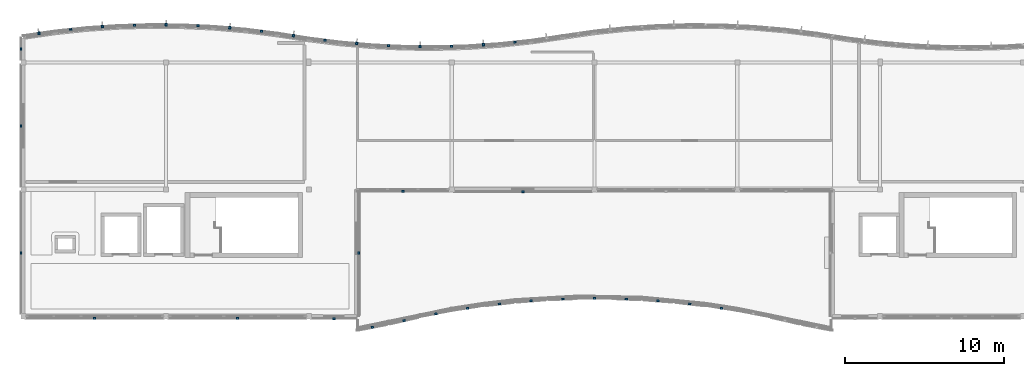
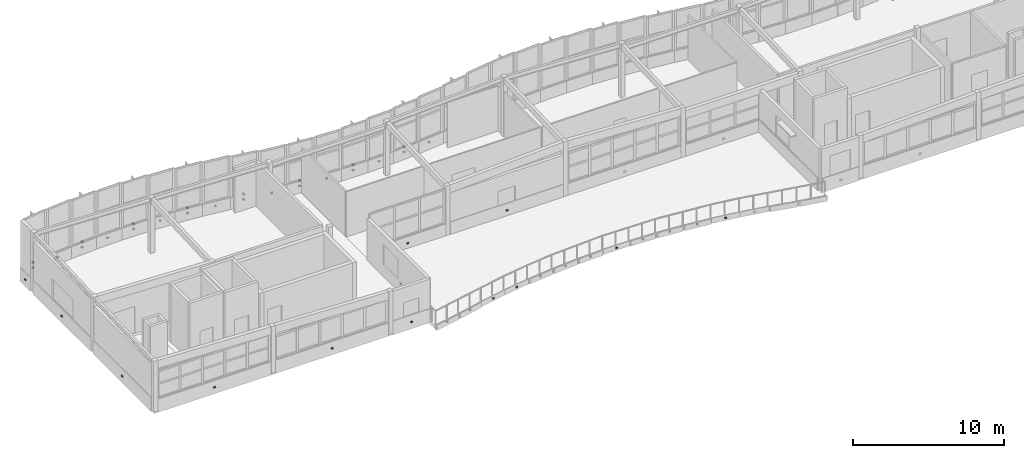
# One storey, part 16 of 20: 45 discrete accessories.
"""IFC4 building model written with IfcOpenShell, lengths in metres."""

from ifc_helpers import new_model, si_unit, direction, frame, origin, origin_2d, place, context, subcontext, project, spatial, rectangle, extrude, material, type_object, element, save


model = new_model("IFC4")

# Units and contexts
model_context = context("Model", 3, precision=1e-05, world=origin(), true_north=direction((0.0, 1.0)))
body_context = subcontext(model_context, "Body", "Model", "MODEL_VIEW")
ifc_project = project(units=[si_unit("LENGTHUNIT", "METRE"), si_unit("AREAUNIT", "SQUARE_METRE"), si_unit("VOLUMEUNIT", "CUBIC_METRE"), si_unit("PLANEANGLEUNIT", "RADIAN"), si_unit("MASSUNIT", "GRAM", prefix="KILO")], contexts=[model_context])

# Site, building, storey
site_placement = place(None, origin())
site = spatial("IfcSite", under=ifc_project, at=site_placement, CompositionType="ELEMENT")
building_placement = place(site_placement, origin())
building = spatial("IfcBuilding", under=site, at=building_placement, Name="Tonlespit Floodbar School", CompositionType="ELEMENT")
storey_placement = place(building_placement, frame((0.0, 0.0, 20.10009765625)))
storey = spatial("IfcBuildingStorey", under=building, at=storey_placement, Name="L05", CompositionType="ELEMENT", Elevation=20.10009765625)

# Discrete accessories
ifc_material = material(Name="Galvanised Steel", Category="steel")
discrete_accessory_type = type_object("IfcDiscreteAccessoryType", Name="Bracket_Facade_S355", PredefinedType="BRACKET", material=ifc_material)
discrete_accessory_1_placement = place(storey_placement, frame((44.981201171875, 121.824462890625, 0.354736328125), z_axis=(0.0, 0.0, 1.0), x_axis=(0.989537627347, 0.144275029245, 0.0)))
element("IfcDiscreteAccessory", 1, at=discrete_accessory_1_placement, inside=storey, type_object=discrete_accessory_type, Name="L05 white band support bracket 0380", PredefinedType="BRACKET", context=body_context, shape_type="SweptSolid", body=[
    extrude(rectangle(XDim=0.159912109375, YDim=0.1201171875, at=origin_2d()), origin(), (0.0, 0.0, 1.0), 0.1201171875),
])
discrete_accessory_2_placement = place(storey_placement, frame((44.979736328125, 121.834228515625, 0.77978515625), z_axis=(0.0, 0.0, 1.0), x_axis=(0.989537627347, 0.144275029245, 0.0)))
element("IfcDiscreteAccessory", 2, at=discrete_accessory_2_placement, inside=storey, type_object=discrete_accessory_type, Name="Solar fin support bracket 093", PredefinedType="BRACKET", context=body_context, shape_type="SweptSolid", body=[
    extrude(rectangle(XDim=0.1201171875, YDim=0.179931640625, at=origin_2d()), origin(), (0.0, 0.0, 1.0), 0.139892578125),
])
for number, where, z_axis, x_axis, name in (
    (3, (46.986328125, 122.0771484375, 0.354736328125), (0.0, 0.0, 1.0), (0.99439234017, 0.105753835922, 0.0), "L05 white band support bracket 0382"),
    (4, (48.9912109375, 122.25146484375, 0.354736328125), (0.0, 0.0, 1.0), (0.997729639049, 0.067346621018, 0.0), "L05 white band support bracket 0384"),
):
    element("IfcDiscreteAccessory", number, at=place(storey_placement, frame(where, z_axis=z_axis, x_axis=x_axis)), inside=storey, type_object=discrete_accessory_type, Name=name, PredefinedType="BRACKET", context=body_context, shape_type="SweptSolid", body=[
        extrude(rectangle(XDim=0.159912109375, YDim=0.1201171875, at=origin_2d()), origin(), (0.0, 0.0, 1.0), 0.1201171875),
    ])
discrete_accessory_3_placement = place(storey_placement, frame((48.990478515625, 122.261474609375, 0.77978515625), z_axis=(0.0, 0.0, 1.0), x_axis=(0.997729639049, 0.067346621018, 0.0)))
element("IfcDiscreteAccessory", 5, at=discrete_accessory_3_placement, inside=storey, type_object=discrete_accessory_type, Name="Solar fin support bracket 094", PredefinedType="BRACKET", context=body_context, shape_type="SweptSolid", body=[
    extrude(rectangle(XDim=0.1201171875, YDim=0.179931640625, at=origin_2d()), origin(), (0.0, 0.0, 1.0), 0.139892578125),
])
for number, where, z_axis, x_axis, name in (
    (6, (50.996337890625, 122.34814453125, 0.354736328125), (0.0, 0.0, 1.0), (0.999584110869, 0.02883756748, 0.0), "L05 white band support bracket 0386"),
    (7, (53.001220703125, 122.367431640625, 0.354736328125), (0.0, 0.0, 1.0), (0.999953926969, -0.009599163462, 0.0), "L05 white band support bracket 0388"),
):
    element("IfcDiscreteAccessory", number, at=place(storey_placement, frame(where, z_axis=z_axis, x_axis=x_axis)), inside=storey, type_object=discrete_accessory_type, Name=name, PredefinedType="BRACKET", context=body_context, shape_type="SweptSolid", body=[
        extrude(rectangle(XDim=0.159912109375, YDim=0.1201171875, at=origin_2d()), origin(), (0.0, 0.0, 1.0), 0.1201171875),
    ])
discrete_accessory_4_placement = place(storey_placement, frame((53.001220703125, 122.37744140625, 0.77978515625), z_axis=(0.0, 0.0, 1.0), x_axis=(0.999953926969, -0.009599163462, 0.0)))
element("IfcDiscreteAccessory", 8, at=discrete_accessory_4_placement, inside=storey, type_object=discrete_accessory_type, Name="Solar fin support bracket 095", PredefinedType="BRACKET", context=body_context, shape_type="SweptSolid", body=[
    extrude(rectangle(XDim=0.1201171875, YDim=0.179931640625, at=origin_2d()), origin(), (0.0, 0.0, 1.0), 0.139892578125),
])
for number, where, z_axis, x_axis, name in (
    (9, (55.00634765625, 122.3095703125, 0.354736328125), (0.0, 0.0, 1.0), (0.998842769234, -0.048094930587, 0.0), "L05 white band support bracket 0390"),
    (10, (57.01123046875, 122.174072265625, 0.354736328125), (0.0, 0.0, 1.0), (0.996245486492, -0.086573267488, 0.0), "L05 white band support bracket 0392"),
):
    element("IfcDiscreteAccessory", number, at=place(storey_placement, frame(where, z_axis=z_axis, x_axis=x_axis)), inside=storey, type_object=discrete_accessory_type, Name=name, PredefinedType="BRACKET", context=body_context, shape_type="SweptSolid", body=[
        extrude(rectangle(XDim=0.159912109375, YDim=0.1201171875, at=origin_2d()), origin(), (0.0, 0.0, 1.0), 0.1201171875),
    ])
discrete_accessory_5_placement = place(storey_placement, frame((57.01220703125, 122.18408203125, 0.77978515625), z_axis=(0.0, 0.0, 1.0), x_axis=(0.996245486492, -0.086573267488, 0.0)))
element("IfcDiscreteAccessory", 11, at=discrete_accessory_5_placement, inside=storey, type_object=discrete_accessory_type, Name="Solar fin support bracket 096", PredefinedType="BRACKET", context=body_context, shape_type="SweptSolid", body=[
    extrude(rectangle(XDim=0.1201171875, YDim=0.179931640625, at=origin_2d()), origin(), (0.0, 0.0, 1.0), 0.139892578125),
])
for number, where, z_axis, x_axis, name in (
    (12, (59.016357421875, 121.960693359375, 0.354736328125), (0.0, 0.0, 1.0), (0.99215533612, -0.125011155539, 0.0), "L05 white band support bracket 0394"),
    (13, (61.02001953125, 121.678466796875, 0.354736328125), (0.0, 0.0, 1.0), (0.988094768361, -0.153846445322, 0.0), "L05 white band support bracket 0396"),
):
    element("IfcDiscreteAccessory", number, at=place(storey_placement, frame(where, z_axis=z_axis, x_axis=x_axis)), inside=storey, type_object=discrete_accessory_type, Name=name, PredefinedType="BRACKET", context=body_context, shape_type="SweptSolid", body=[
        extrude(rectangle(XDim=0.159912109375, YDim=0.1201171875, at=origin_2d()), origin(), (0.0, 0.0, 1.0), 0.1201171875),
    ])
discrete_accessory_6_placement = place(storey_placement, frame((61.021484375, 121.688232421875, 0.77978515625), z_axis=(0.0, 0.0, 1.0), x_axis=(0.988094768361, -0.153846445322, 0.0)))
element("IfcDiscreteAccessory", 14, at=discrete_accessory_6_placement, inside=storey, type_object=discrete_accessory_type, Name="Solar fin support bracket 097", PredefinedType="BRACKET", context=body_context, shape_type="SweptSolid", body=[
    extrude(rectangle(XDim=0.1201171875, YDim=0.179931640625, at=origin_2d()), origin(), (0.0, 0.0, 1.0), 0.139892578125),
])
for number, where, z_axis, x_axis, name in (
    (15, (63.016357421875, 121.397216796875, 0.354736328125), (0.0, 0.0, 1.0), (0.99215533612, -0.125011155539, 0.0), "L05 white band support bracket 0398"),
    (16, (65.01123046875, 121.184814453125, 0.354736328125), (0.0, 0.0, 1.0), (0.996245486492, -0.086573267488, 0.0), "L05 white band support bracket 0400"),
):
    element("IfcDiscreteAccessory", number, at=place(storey_placement, frame(where, z_axis=z_axis, x_axis=x_axis)), inside=storey, type_object=discrete_accessory_type, Name=name, PredefinedType="BRACKET", context=body_context, shape_type="SweptSolid", body=[
        extrude(rectangle(XDim=0.159912109375, YDim=0.1201171875, at=origin_2d()), origin(), (0.0, 0.0, 1.0), 0.1201171875),
    ])
discrete_accessory_7_placement = place(storey_placement, frame((65.01220703125, 121.19482421875, 0.77978515625), z_axis=(0.0, 0.0, 1.0), x_axis=(0.996245486492, -0.086573267488, 0.0)))
element("IfcDiscreteAccessory", 17, at=discrete_accessory_7_placement, inside=storey, type_object=discrete_accessory_type, Name="Solar fin support bracket 098", PredefinedType="BRACKET", context=body_context, shape_type="SweptSolid", body=[
    extrude(rectangle(XDim=0.1201171875, YDim=0.179931640625, at=origin_2d()), origin(), (0.0, 0.0, 1.0), 0.139892578125),
])
for number, where, z_axis, x_axis, name in (
    (18, (67.00634765625, 121.05029296875, 0.354736328125), (0.0, 0.0, 1.0), (0.998842769234, -0.048094930587, 0.0), "L05 white band support bracket 0402"),
    (19, (69.001220703125, 120.99267578125, 0.354736328125), (0.0, 0.0, 1.0), (0.999953926969, -0.009599163462, 0.0), "L05 white band support bracket 0404"),
):
    element("IfcDiscreteAccessory", number, at=place(storey_placement, frame(where, z_axis=z_axis, x_axis=x_axis)), inside=storey, type_object=discrete_accessory_type, Name=name, PredefinedType="BRACKET", context=body_context, shape_type="SweptSolid", body=[
        extrude(rectangle(XDim=0.159912109375, YDim=0.1201171875, at=origin_2d()), origin(), (0.0, 0.0, 1.0), 0.1201171875),
    ])
discrete_accessory_8_placement = place(storey_placement, frame((69.001220703125, 121.002685546875, 0.77978515625), z_axis=(0.0, 0.0, 1.0), x_axis=(0.999953926969, -0.009599163462, 0.0)))
element("IfcDiscreteAccessory", 20, at=discrete_accessory_8_placement, inside=storey, type_object=discrete_accessory_type, Name="Solar fin support bracket 099", PredefinedType="BRACKET", context=body_context, shape_type="SweptSolid", body=[
    extrude(rectangle(XDim=0.1201171875, YDim=0.179931640625, at=origin_2d()), origin(), (0.0, 0.0, 1.0), 0.139892578125),
])
for number, where, z_axis, x_axis, name in (
    (21, (70.996337890625, 121.01171875, 0.354736328125), (0.0, 0.0, 1.0), (0.999584110869, 0.02883756748, 0.0), "L05 white band support bracket 0406"),
    (22, (72.9912109375, 121.10791015625, 0.354736328125), (0.0, 0.0, 1.0), (0.997729639049, 0.067346621018, 0.0), "L05 white band support bracket 0408"),
):
    element("IfcDiscreteAccessory", number, at=place(storey_placement, frame(where, z_axis=z_axis, x_axis=x_axis)), inside=storey, type_object=discrete_accessory_type, Name=name, PredefinedType="BRACKET", context=body_context, shape_type="SweptSolid", body=[
        extrude(rectangle(XDim=0.159912109375, YDim=0.1201171875, at=origin_2d()), origin(), (0.0, 0.0, 1.0), 0.1201171875),
    ])
discrete_accessory_9_placement = place(storey_placement, frame((72.990478515625, 121.117919921875, 0.77978515625), z_axis=(0.0, 0.0, 1.0), x_axis=(0.997729639049, 0.067346621018, 0.0)))
element("IfcDiscreteAccessory", 23, at=discrete_accessory_9_placement, inside=storey, type_object=discrete_accessory_type, Name="Solar fin support bracket 100", PredefinedType="BRACKET", context=body_context, shape_type="SweptSolid", body=[
    extrude(rectangle(XDim=0.1201171875, YDim=0.179931640625, at=origin_2d()), origin(), (0.0, 0.0, 1.0), 0.139892578125),
])
for number, where, z_axis, x_axis, name in (
    (24, (74.986328125, 121.28125, 0.354736328125), (0.0, 0.0, 1.0), (0.99439234017, 0.105753835922, 0.0), "L05 white band support bracket 0410"),
    (25, (75.5, 111.85009765625, 0.3798828125), (0.0, 0.0, 1.0), (-1.0, 0.0, 0.0), "L05 white band support bracket 0458"),
    (26, (67.919921875, 111.8701171875, 0.354736328125), (0.0, 0.0, 1.0), (-1.0, 0.0, 0.0), "L05 white band support bracket 0459"),
    (27, (65.14990234375, 108.0, 0.3798828125), (0.0, 0.0, 1.0), (0.0, -1.0, 0.0), "L05 white band support bracket 0460"),
    (28, (63.580078125, 103.85009765625, 0.3798828125), (0.0, 0.0, 1.0), (-1.0, 0.0, 0.0), "L05 white band support bracket 0461"),
    (29, (57.5, 103.8701171875, 0.354736328125), (0.0, 0.0, 1.0), (-1.0, 0.0, 0.0), "L05 white band support bracket 0462"),
    (30, (48.5, 103.8701171875, 0.354736328125), (0.0, 0.0, 1.0), (-1.0, 0.0, 0.0), "L05 white band support bracket 0463"),
    (31, (43.85009765625, 108.0, 0.3798828125), (0.0, 0.0, 1.0), (0.0, 1.0, 0.0), "L05 white band support bracket 0464"),
    (32, (43.85009765625, 116.0, 0.3798828125), (0.0, 0.0, 1.0), (0.0, 1.0, 0.0), "L05 white band support bracket 0465"),
    (33, (43.85009765625, 120.85498046875, 0.3798828125), (0.0, 0.0, 1.0), (0.0, 1.0, 0.0), "L05 white band support bracket 0466"),
    (34, (66.0, 103.30712890625, -0.150146484375), (0.0, 0.0, 1.0), (0.981328264706, 0.19234041928, 0.0), "L05 white band support bracket 0470"),
    (35, (68.0, 103.72998046875, -0.150146484375), (0.0, 0.0, 1.0), (0.975232420789, 0.221182561341, 0.0), "L05 white band support bracket 0471"),
    (36, (70.0, 104.15283203125, -0.150146484375), (0.0, 0.0, 1.0), (0.981328264706, 0.19234041928, 0.0), "L05 white band support bracket 0472"),
    (37, (72.0, 104.50439453125, -0.150146484375), (0.0, 0.0, 1.0), (0.988094768361, 0.153846445322, 0.0), "L05 white band support bracket 0473"),
    (38, (74.0, 104.7763671875, -0.150146484375), (0.0, 0.0, 1.0), (0.993316478096, 0.115422590262, 0.0), "L05 white band support bracket 0474"),
    (39, (76.0, 104.9697265625, -0.150146484375), (0.0, 0.0, 1.0), (0.997037199397, 0.076920888052, 0.0), "L05 white band support bracket 0475"),
    (40, (78.0, 105.08544921875, -0.150146484375), (0.0, 0.0, 1.0), (0.999259696934, 0.038471523007, 0.0), "L05 white band support bracket 0476"),
    (41, (80.0, 105.123779296875, -0.150146484375), (0.0, 0.0, 1.0), (1.0, 0.0, 0.0), "L05 white band support bracket 0477"),
    (42, (82.0, 105.08544921875, -0.150146484375), (0.0, 0.0, 1.0), (0.999259696934, -0.038471523007, 0.0), "L05 white band support bracket 0478"),
    (43, (84.0, 104.9697265625, -0.150146484375), (0.0, 0.0, 1.0), (0.997037199397, -0.076920888052, 0.0), "L05 white band support bracket 0479"),
    (44, (86.0, 104.7763671875, -0.150146484375), (0.0, 0.0, 1.0), (0.993316478096, -0.115422590262, 0.0), "L05 white band support bracket 0480"),
    (45, (88.0, 104.50439453125, -0.150146484375), (0.0, 0.0, 1.0), (0.988094768361, -0.153846445322, 0.0), "L05 white band support bracket 0481"),
):
    element("IfcDiscreteAccessory", number, at=place(storey_placement, frame(where, z_axis=z_axis, x_axis=x_axis)), inside=storey, type_object=discrete_accessory_type, Name=name, PredefinedType="BRACKET", context=body_context, shape_type="SweptSolid", body=[
        extrude(rectangle(XDim=0.159912109375, YDim=0.1201171875, at=origin_2d()), origin(), (0.0, 0.0, 1.0), 0.1201171875),
    ])

save(model, "model.ifc")
